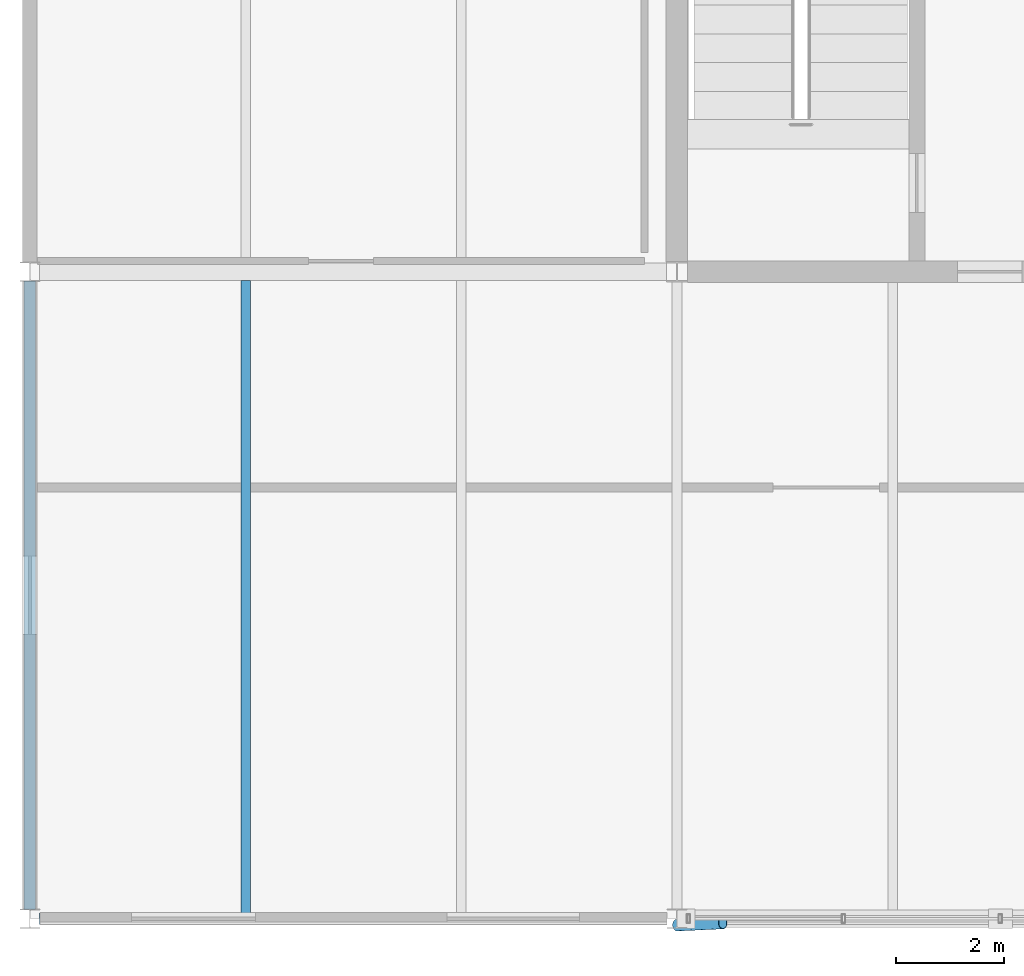
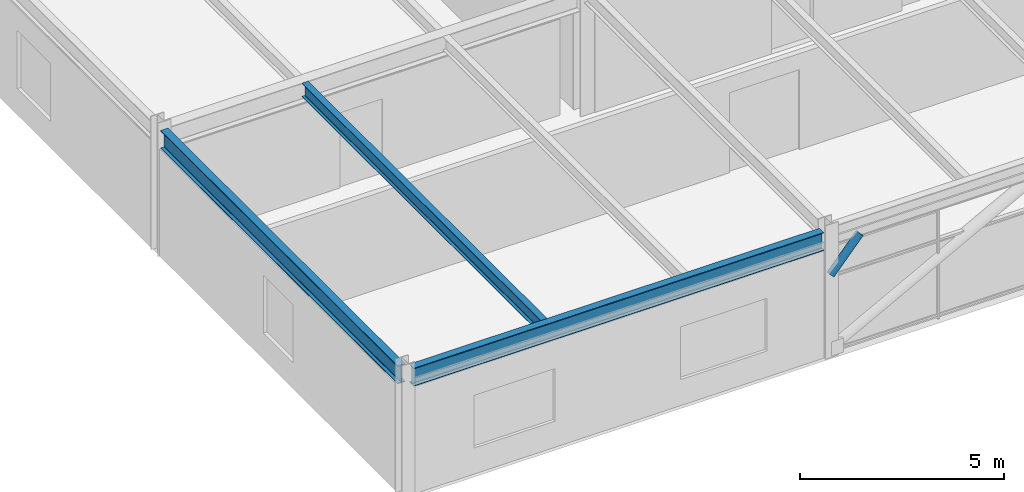
# One storey, part 4 of 40: 3 beams, 1 member.
"""IFC4 building model written with IfcOpenShell, lengths in metres."""

import ifcopenshell
import ifcopenshell.guid

model = None  # the IFC model being written
_history = None  # IfcOwnerHistory: only IFC2X3 demands one
_inside = {}  # id of a spatial element -> (the spatial element, [elements in it])
_under = {}  # id of a project, library or spatial element -> (it, [spatial elements below it])
_declared = {}  # id of a project -> (the project, [libraries it declares])
_typed = {}  # id of a type object -> (the type object, [elements of that type])
_made_of = {}  # id of a material, layer set ... -> (it, [elements and type objects made of it])


def new_model(schema):
    """Start an empty IFC model of exactly this schema.

    Asked for "IFC4X3", IfcOpenShell would pick the latest addendum, in which some entities
    have other attributes; the version numbers below select the first issue.
    IFC2X3 requires an IfcOwnerHistory on every rooted entity: one is made here for all.
    """
    global model, _history
    if schema == "IFC4X3":
        model = ifcopenshell.file(schema_version=(4, 3, 0, 0))
    else:
        model = ifcopenshell.file(schema=schema)
    _inside.clear()
    _under.clear()
    _declared.clear()
    _typed.clear()
    _made_of.clear()
    _history = None
    if model.schema == "IFC2X3":
        org = make("IfcOrganization", Name="unknown")
        user = make(
            "IfcPersonAndOrganization",
            ThePerson=make("IfcPerson", FamilyName="unknown"),
            TheOrganization=org,
        )
        app = make(
            "IfcApplication",
            ApplicationDeveloper=org,
            Version="unknown",
            ApplicationFullName="unknown",
            ApplicationIdentifier="unknown",
        )
        _history = make(
            "IfcOwnerHistory",
            OwningUser=user,
            OwningApplication=app,
            ChangeAction="ADDED",
            CreationDate=0,
        )
    return model


def make(cls, **values):
    """One entity of the class cls with the attributes given. An attribute that is None is left unset."""
    return model.create_entity(
        cls, **{name: value for name, value in values.items() if value is not None}
    )


def rooted(cls, **values):
    """An entity with a GlobalId (a new one), such as an element, a storey or a relation."""
    return make(cls, GlobalId=ifcopenshell.guid.new(), OwnerHistory=_history, **values)


def si_unit(unit_type, name, prefix=None):
    """IfcSIUnit, for example si_unit("LENGTHUNIT", "METRE", prefix="MILLI")."""
    return make("IfcSIUnit", UnitType=unit_type, Prefix=prefix, Name=name)


def assignment(units):
    """IfcUnitAssignment: the units of a project."""
    return None if units is None else make("IfcUnitAssignment", Units=units)


def point(xyz):
    """IfcCartesianPoint."""
    return None if xyz is None else make("IfcCartesianPoint", Coordinates=xyz)


def direction(xyz):
    """IfcDirection."""
    return None if xyz is None else make("IfcDirection", DirectionRatios=xyz)


def frame(location, z_axis=None, x_axis=None):
    """IfcAxis2Placement3D, a coordinate frame: its origin and axes. An axis left out is left unset."""
    return make(
        "IfcAxis2Placement3D",
        Location=point(location),
        Axis=direction(z_axis),
        RefDirection=direction(x_axis),
    )


def frame_2d(location, x_axis=None):
    """IfcAxis2Placement2D, a coordinate frame in the plane: its origin and x axis."""
    return make(
        "IfcAxis2Placement2D", Location=point(location), RefDirection=direction(x_axis)
    )


def origin():
    """The frame at (0, 0, 0) with its axes left unset."""
    return frame((0.0, 0.0, 0.0))


def origin_2d():
    """The frame at (0, 0) in the plane with its x axis left unset."""
    return frame_2d((0.0, 0.0))


def place(relative_to, where):
    """IfcLocalPlacement: puts the frame where relative to a parent placement (None: the world)."""
    return make(
        "IfcLocalPlacement", PlacementRelTo=relative_to, RelativePlacement=where
    )


def context(
    kind, dimensions, precision=None, world=None, true_north=None, identifier=None
):
    """IfcGeometricRepresentationContext, for example the 3D "Model" context."""
    return make(
        "IfcGeometricRepresentationContext",
        ContextIdentifier=identifier,
        ContextType=kind,
        CoordinateSpaceDimension=dimensions,
        Precision=precision,
        WorldCoordinateSystem=world,
        TrueNorth=true_north,
    )


def subcontext(parent, identifier, kind, view, scale=None):
    """IfcGeometricRepresentationSubContext, for example "Body" below "Model"."""
    return make(
        "IfcGeometricRepresentationSubContext",
        ContextIdentifier=identifier,
        ContextType=kind,
        ParentContext=parent,
        TargetScale=scale,
        TargetView=view,
    )


def project(units=None, contexts=None):
    """IfcProject with its units and contexts."""
    return rooted(
        "IfcProject",
        Name="project",
        RepresentationContexts=contexts,
        UnitsInContext=assignment(units),
    )


def spatial(cls, under=None, at=None, **own):
    """A site, building, storey or space (cls), placed at a placement, below another one or the project."""
    s = rooted(cls, ObjectPlacement=at, **own)
    if under is not None:
        _under.setdefault(under.id(), (under, []))[1].append(s)
    return s


def profile(cls, at=None, kind="AREA", **sizes):
    """A parametric profile (cls). Its sizes go by their IFC names, for example OverallWidth=200.0."""
    return make(cls, ProfileType=kind, Position=at, **sizes)


def hollow_circle(**sizes):
    """IfcCircleHollowProfileDef."""
    return profile("IfcCircleHollowProfileDef", **sizes)


def i_section(**sizes):
    """IfcIShapeProfileDef."""
    return profile("IfcIShapeProfileDef", **sizes)


def extrude(swept, where, along, depth):
    """IfcExtrudedAreaSolid: the profile swept, set in the frame where, extruded along a direction by depth."""
    return make(
        "IfcExtrudedAreaSolid",
        SweptArea=swept,
        Position=where,
        ExtrudedDirection=direction(along),
        Depth=depth,
    )


def shape(context_of_items, identifier, shape_type, items):
    """IfcShapeRepresentation: the items that make up one representation, for example the "Body"."""
    return make(
        "IfcShapeRepresentation",
        ContextOfItems=context_of_items,
        RepresentationIdentifier=identifier,
        RepresentationType=shape_type,
        Items=items,
    )


def material(Name=None, Category=None):
    """IfcMaterial."""
    return make("IfcMaterial", Name=Name, Category=Category)


def material_profile(
    of_material, cross_section, Name=None, Category=None, Priority=None
):
    """IfcMaterialProfile: a cross section and its material."""
    return make(
        "IfcMaterialProfile",
        Name=Name,
        Material=of_material,
        Profile=cross_section,
        Priority=Priority,
        Category=Category,
    )


def profile_set(profiles, Name=None, composite=None):
    """IfcMaterialProfileSet."""
    return make(
        "IfcMaterialProfileSet",
        Name=Name,
        MaterialProfiles=profiles,
        CompositeProfile=composite,
    )


def made_of(thing, what):
    """Note that an element or type object is made of a material, layer set ...; save() writes the relation."""
    if what is not None:
        _made_of.setdefault(what.id(), (what, []))[1].append(thing)
    return thing


def type_object(cls, material=None, **own):
    """A type object (cls), such as IfcWallType, which elements share."""
    return made_of(rooted(cls, **own), material)


def element(
    cls,
    number,
    at=None,
    inside=None,
    cuts=None,
    type_object=None,
    material=None,
    context=None,
    identifier="Body",
    shape_type=None,
    held_by="IfcProductDefinitionShape",
    body=None,
    shapes=None,
    **own,
):
    """One element of the class cls, such as IfcWall. Its Tag is "e" and its number.

    at: its placement. inside: the storey or other place that contains it. cuts: it is an
    opening in that element (IfcRelVoidsElement). A single representation is given by context,
    identifier, shape_type and body (its items); several are given by shapes. held_by: the class
    of the entity that holds the representations. save() writes the other relations.
    """
    e = rooted(cls, Tag="e%d" % number, ObjectPlacement=at, **own)
    if body is not None:
        shapes = [shape(context, identifier, shape_type, body)]
    if shapes is not None:
        e.Representation = make(held_by, Representations=shapes)
    if inside is not None:
        _inside.setdefault(inside.id(), (inside, []))[1].append(e)
    if cuts is not None:
        rooted(
            "IfcRelVoidsElement", RelatingBuildingElement=cuts, RelatedOpeningElement=e
        )
    if type_object is not None:
        _typed.setdefault(type_object.id(), (type_object, []))[1].append(e)
    return made_of(e, material)


def aggregate(whole, parts):
    """IfcRelAggregates: a whole, such as a stair, and the parts it consists of."""
    return rooted("IfcRelAggregates", RelatingObject=whole, RelatedObjects=parts)


def save(model, path):
    """Write the relations noted so far, then the file.

    IfcRelAggregates (storeys below a building ...), IfcRelContainedInSpatialStructure (elements
    in a storey), IfcRelDefinesByType, IfcRelAssociatesMaterial and IfcRelDeclares: one each for
    every whole, place, type object, material and project.
    """
    for whole, parts in _under.values():
        aggregate(whole, parts)
    for where, things in _inside.values():
        rooted(
            "IfcRelContainedInSpatialStructure",
            RelatedElements=things,
            RelatingStructure=where,
        )
    for kind, things in _typed.values():
        rooted("IfcRelDefinesByType", RelatedObjects=things, RelatingType=kind)
    for what, things in _made_of.values():
        rooted("IfcRelAssociatesMaterial", RelatedObjects=things, RelatingMaterial=what)
    for by, libraries in _declared.values():
        rooted("IfcRelDeclares", RelatingContext=by, RelatedDefinitions=libraries)
    model.write(path)


model = new_model("IFC4")

# Units and contexts
model_context = context("Model", 3, precision=1e-05, world=origin(), true_north=direction((0.0, 1.0)))
body_context = subcontext(model_context, "Body", "Model", "MODEL_VIEW")
ifc_project = project(units=[si_unit("LENGTHUNIT", "METRE"), si_unit("AREAUNIT", "SQUARE_METRE"), si_unit("VOLUMEUNIT", "CUBIC_METRE"), si_unit("PLANEANGLEUNIT", "RADIAN"), si_unit("MASSUNIT", "GRAM", prefix="KILO")], contexts=[model_context])

# Site, building, storey
site_placement = place(None, origin())
site = spatial("IfcSite", under=ifc_project, at=site_placement, CompositionType="ELEMENT")
building_placement = place(site_placement, origin())
building = spatial("IfcBuilding", under=site, at=building_placement, Name="Girod Span Mobility Hub", CompositionType="ELEMENT")
storey_placement = place(building_placement, frame((0.0, 0.0, 57.60009765625)))
storey = spatial("IfcBuildingStorey", under=building, at=storey_placement, Name="L14", CompositionType="ELEMENT", Elevation=57.60009765625)

# Beams
ifc_material_1 = material(Name="Steel A992 Grade 50", Category="steel")
ifc_material_profile_1 = material_profile(ifc_material_1, i_section(OverallWidth=0.178955078125, OverallDepth=0.409912109375, WebThickness=0.0087890625, FlangeThickness=0.014404296875, FilletRadius=0.012939453125, at=origin_2d()), Name="W16X45")
ifc_profile_set_1 = profile_set([ifc_material_profile_1], Name="Steel A992 Grade 50")
beam_type_1 = type_object("IfcBeamType", Name="BM-STL-W16X45", PredefinedType="BEAM", material=ifc_profile_set_1)
beam_1_placement = place(storey_placement, frame((40.0, 45.10302734375, 3.554931640625), z_axis=(0.0, 1.0, 0.0), x_axis=(-1.0, 0.0, 0.0)))
element("IfcBeam", 1, at=beam_1_placement, inside=storey, type_object=beam_type_1, Name="Composite Floorbeam 4/D-1 L14", PredefinedType="BEAM", context=body_context, shape_type="SweptSolid", body=[
    extrude(i_section(OverallWidth=0.178955078125, OverallDepth=0.409912109375, WebThickness=0.0087890625, FlangeThickness=0.014404296875, FilletRadius=0.012939453125, at=origin_2d()), origin(), (0.0, 0.0, 1.0), 11.738037109375),
])
ifc_material_2 = material(Name="Steel A992 Grade 50", Category="steel")
ifc_material_profile_2 = material_profile(ifc_material_2, i_section(OverallWidth=0.2119140625, OverallDepth=0.5439453125, WebThickness=0.01318359375, FlangeThickness=0.021240234375, FilletRadius=0.014892578125, at=origin_2d()), Name="W21X83")
ifc_profile_set_2 = profile_set([ifc_material_profile_2], Name="Steel A992 Grade 50")
beam_type_2 = type_object("IfcBeamType", Name="BM-STL-W21X83", PredefinedType="SPANDREL", material=ifc_profile_set_2)
beam_2_placement = place(storey_placement, frame((36.181396484375, 45.0, 3.48779296875), z_axis=(1.0, 0.0, 0.0), x_axis=(0.0, 1.0, 0.0)))
element("IfcBeam", 2, at=beam_2_placement, inside=storey, type_object=beam_type_2, Name="Girder 4-5/D L14", PredefinedType="SPANDREL", context=body_context, shape_type="SweptSolid", body=[
    extrude(i_section(OverallWidth=0.2119140625, OverallDepth=0.5439453125, WebThickness=0.01318359375, FlangeThickness=0.021240234375, FilletRadius=0.014892578125, at=origin_2d()), origin(), (0.0, 0.0, 1.0), 11.63720703125),
])
beam_3_placement = place(storey_placement, frame((36.0, 45.175048828125, 3.48779296875), z_axis=(0.0, 1.0, 0.0), x_axis=(-1.0, 0.0, 0.0)))
element("IfcBeam", 3, at=beam_3_placement, inside=storey, type_object=beam_type_2, Name="Tie Girder 4/D-E L14", PredefinedType="SPANDREL", context=body_context, shape_type="SweptSolid", body=[
    extrude(i_section(OverallWidth=0.2119140625, OverallDepth=0.5439453125, WebThickness=0.01318359375, FlangeThickness=0.021240234375, FilletRadius=0.014892578125, at=origin_2d()), origin(), (0.0, 0.0, 1.0), 11.64990234375),
])

# Member
ifc_material_3 = material(Name="Steel HSS A500 Grade C", Category="steel")
ifc_material_profile_3 = material_profile(ifc_material_3, hollow_circle(Radius=0.109619140625, WallThickness=0.0087890625, at=origin_2d()), Name="HSS219X9.5")
ifc_profile_set_3 = profile_set([ifc_material_profile_3], Name="Steel HSS A500 Grade C")
member_type = type_object("IfcMemberType", Name="MB-ST-HSS219", PredefinedType="STRUT", material=ifc_profile_set_3)
member_placement = place(storey_placement, frame((48.0, 44.8798828125, 2.449951171875), z_axis=(0.678338294934, 0.031949305103, 0.734054766029), x_axis=(-0.047047213483, 0.998892666758, 0.0)))
element("IfcMember", 4, at=member_placement, inside=storey, type_object=member_type, Name="Solar Shading Knee Strut 5 L14", PredefinedType="STRUT", context=body_context, shape_type="SweptSolid", body=[
    extrude(hollow_circle(Radius=0.109619140625, WallThickness=0.0087890625, at=origin_2d()), origin(), (0.0, 0.0, 1.0), 1.253173828125),
])

save(model, "model.ifc")
